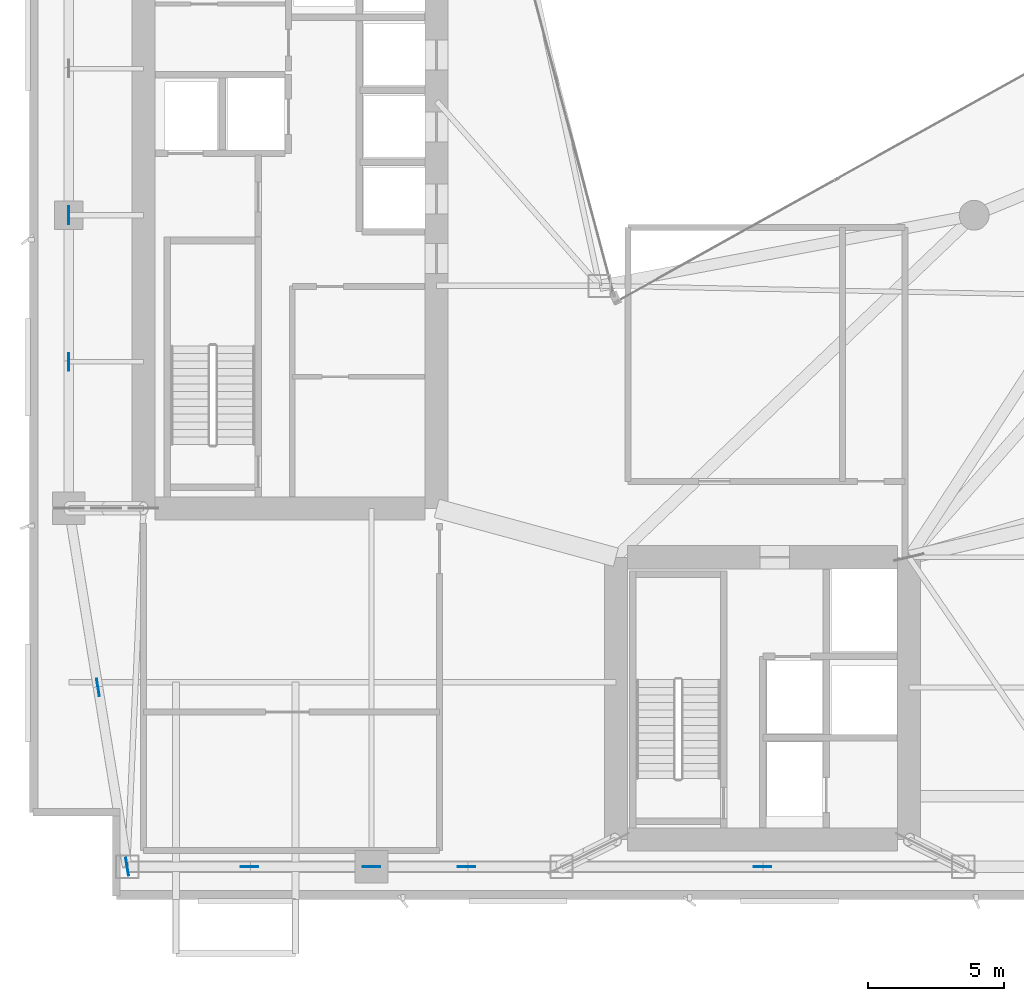
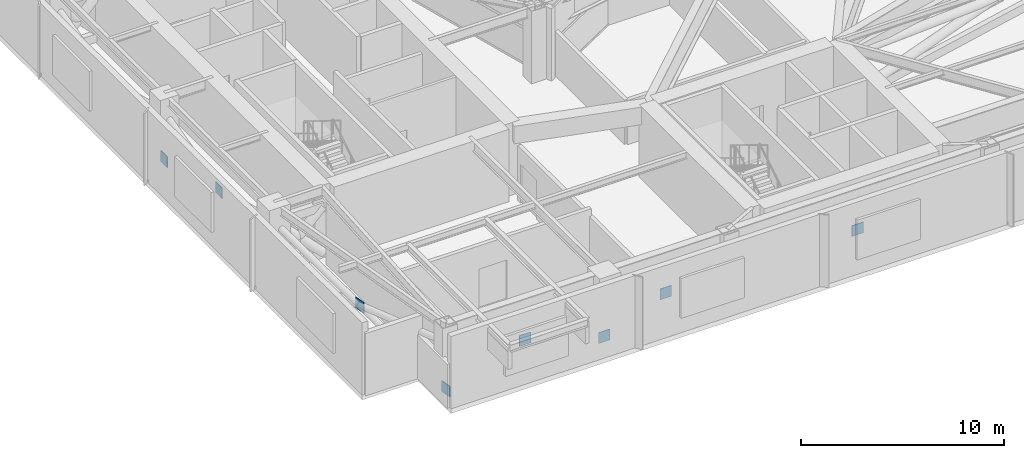
# One storey, part 10 of 17: 8 plates.
"""IFC4 building model written with IfcOpenShell, lengths in metres."""

from ifc_helpers import new_model, si_unit, direction, frame, origin, origin_2d, place, context, subcontext, project, spatial, rectangle, extrude, material, layer, layer_set, type_object, element, save


model = new_model("IFC4")

# Units and contexts
model_context = context("Model", 3, precision=1e-05, world=origin(), true_north=direction((0.0, 1.0)))
body_context = subcontext(model_context, "Body", "Model", "MODEL_VIEW")
ifc_project = project(units=[si_unit("LENGTHUNIT", "METRE"), si_unit("AREAUNIT", "SQUARE_METRE"), si_unit("VOLUMEUNIT", "CUBIC_METRE"), si_unit("PLANEANGLEUNIT", "RADIAN"), si_unit("MASSUNIT", "GRAM", prefix="KILO")], contexts=[model_context])

# Site, building, storey
site_placement = place(None, origin())
site = spatial("IfcSite", under=ifc_project, at=site_placement, CompositionType="ELEMENT")
building_placement = place(site_placement, origin())
building = spatial("IfcBuilding", under=site, at=building_placement, Name="Calvorn Quay Hotel", CompositionType="ELEMENT")
storey_placement = place(building_placement, frame((0.0, 0.0, 186.5)))
storey = spatial("IfcBuildingStorey", under=building, at=storey_placement, Name="L46", CompositionType="ELEMENT", Elevation=186.5)

# Plates
ifc_material = material(Name="Steel Q390GJC", Category="steel")
ifc_layer = layer(ifc_material, 0.035888671875)
ifc_layer_set = layer_set([ifc_layer], Name="PLT-GUSSET-36")
plate_type = type_object("IfcPlateType", Name="PLT-GUSSET-36", PredefinedType="SHEET", material=ifc_layer_set)
for number, where, z_axis, x_axis, name in (
    (1, (3.60009765625, 3.60009765625, 0.025146484375), (0.0, 0.0, 1.0), (-0.160742565604, 0.98699636656, 0.0), "Belt Truss Gusset Plate L46-BW1-A"),
    (2, (2.52490234375, 10.199951171875, 1.425048828125), (0.0, 0.0, 1.0), (-0.160742565604, 0.98699636656, 0.0), "Belt Truss Gusset Plate L46-BW1-X"),
    (3, (1.449951171875, 22.199951171875, 1.425048828125), (0.0, 0.0, 1.0), (0.0, 1.0, 0.0), "Belt Truss Gusset Plate L46-BW2-X"),
    (4, (1.449951171875, 27.60009765625, 0.025146484375), (0.0, 0.0, 1.0), (0.0, 1.0, 0.0), "Belt Truss Gusset Plate L46-BW2-B"),
    (5, (8.10009765625, 3.60009765625, 1.425048828125), (0.0, 0.0, 1.0), (1.0, 0.0, 0.0), "Belt Truss Gusset Plate L46-BS1-X"),
    (6, (12.60009765625, 3.60009765625, 0.025146484375), (0.0, 0.0, 1.0), (1.0, 0.0, 0.0), "Belt Truss Gusset Plate L46-BS1-B"),
    (7, (16.10009765625, 3.60009765625, 1.425048828125), (0.0, 0.0, 1.0), (1.0, 0.0, 0.0), "Belt Truss Gusset Plate L46-BS2-X"),
    (8, (27.0, 3.60009765625, 1.425048828125), (0.0, 0.0, 1.0), (1.0, 0.0, 0.0), "Belt Truss Gusset Plate L46-BS3-X"),
):
    element("IfcPlate", number, at=place(storey_placement, frame(where, z_axis=z_axis, x_axis=x_axis)), inside=storey, type_object=plate_type, Name=name, PredefinedType="SHEET", context=body_context, shape_type="SweptSolid", body=[
        extrude(rectangle(XDim=0.64990234375, YDim=0.035888671875, at=origin_2d()), origin(), (0.0, 0.0, 1.0), 0.64990234375),
    ])

save(model, "model.ifc")
